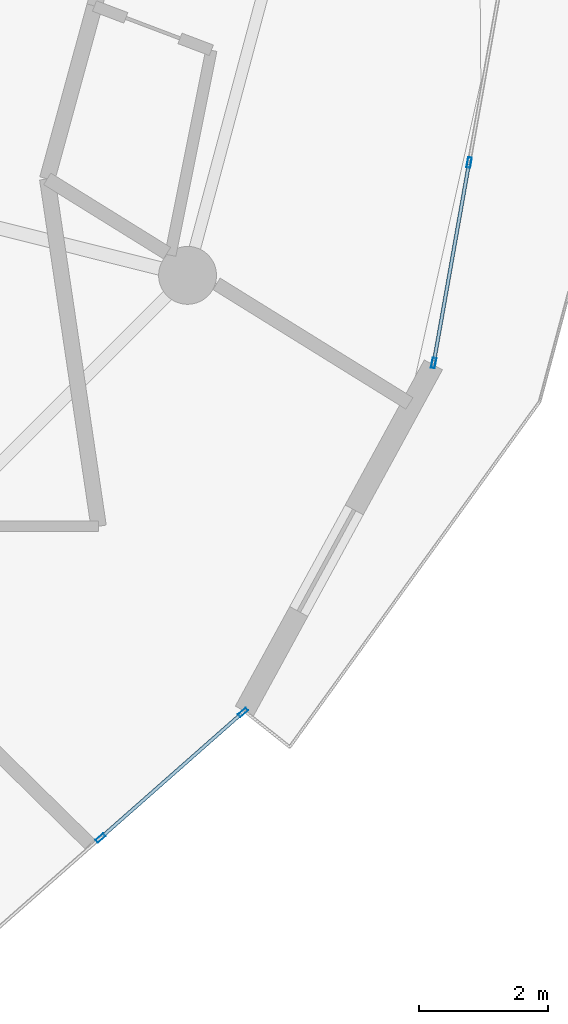
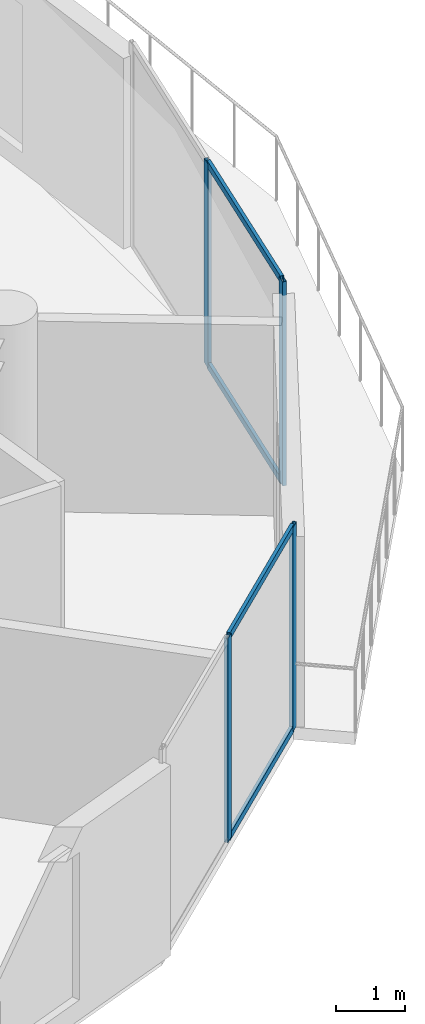
# One storey, part 6 of 18: 8 members, 2 elements without a shape of their own.
"""IFC4 building model written with IfcOpenShell, lengths in metres."""

import ifcopenshell
import ifcopenshell.guid

model = None  # the IFC model being written
_history = None  # IfcOwnerHistory: only IFC2X3 demands one
_inside = {}  # id of a spatial element -> (the spatial element, [elements in it])
_under = {}  # id of a project, library or spatial element -> (it, [spatial elements below it])
_declared = {}  # id of a project -> (the project, [libraries it declares])
_typed = {}  # id of a type object -> (the type object, [elements of that type])
_made_of = {}  # id of a material, layer set ... -> (it, [elements and type objects made of it])


def new_model(schema):
    """Start an empty IFC model of exactly this schema.

    Asked for "IFC4X3", IfcOpenShell would pick the latest addendum, in which some entities
    have other attributes; the version numbers below select the first issue.
    IFC2X3 requires an IfcOwnerHistory on every rooted entity: one is made here for all.
    """
    global model, _history
    if schema == "IFC4X3":
        model = ifcopenshell.file(schema_version=(4, 3, 0, 0))
    else:
        model = ifcopenshell.file(schema=schema)
    _inside.clear()
    _under.clear()
    _declared.clear()
    _typed.clear()
    _made_of.clear()
    _history = None
    if model.schema == "IFC2X3":
        org = make("IfcOrganization", Name="unknown")
        user = make(
            "IfcPersonAndOrganization",
            ThePerson=make("IfcPerson", FamilyName="unknown"),
            TheOrganization=org,
        )
        app = make(
            "IfcApplication",
            ApplicationDeveloper=org,
            Version="unknown",
            ApplicationFullName="unknown",
            ApplicationIdentifier="unknown",
        )
        _history = make(
            "IfcOwnerHistory",
            OwningUser=user,
            OwningApplication=app,
            ChangeAction="ADDED",
            CreationDate=0,
        )
    return model


def make(cls, **values):
    """One entity of the class cls with the attributes given. An attribute that is None is left unset."""
    return model.create_entity(
        cls, **{name: value for name, value in values.items() if value is not None}
    )


def rooted(cls, **values):
    """An entity with a GlobalId (a new one), such as an element, a storey or a relation."""
    return make(cls, GlobalId=ifcopenshell.guid.new(), OwnerHistory=_history, **values)


def si_unit(unit_type, name, prefix=None):
    """IfcSIUnit, for example si_unit("LENGTHUNIT", "METRE", prefix="MILLI")."""
    return make("IfcSIUnit", UnitType=unit_type, Prefix=prefix, Name=name)


def assignment(units):
    """IfcUnitAssignment: the units of a project."""
    return None if units is None else make("IfcUnitAssignment", Units=units)


def point(xyz):
    """IfcCartesianPoint."""
    return None if xyz is None else make("IfcCartesianPoint", Coordinates=xyz)


def direction(xyz):
    """IfcDirection."""
    return None if xyz is None else make("IfcDirection", DirectionRatios=xyz)


def frame(location, z_axis=None, x_axis=None):
    """IfcAxis2Placement3D, a coordinate frame: its origin and axes. An axis left out is left unset."""
    return make(
        "IfcAxis2Placement3D",
        Location=point(location),
        Axis=direction(z_axis),
        RefDirection=direction(x_axis),
    )


def frame_2d(location, x_axis=None):
    """IfcAxis2Placement2D, a coordinate frame in the plane: its origin and x axis."""
    return make(
        "IfcAxis2Placement2D", Location=point(location), RefDirection=direction(x_axis)
    )


def origin():
    """The frame at (0, 0, 0) with its axes left unset."""
    return frame((0.0, 0.0, 0.0))


def origin_2d():
    """The frame at (0, 0) in the plane with its x axis left unset."""
    return frame_2d((0.0, 0.0))


def place(relative_to, where):
    """IfcLocalPlacement: puts the frame where relative to a parent placement (None: the world)."""
    return make(
        "IfcLocalPlacement", PlacementRelTo=relative_to, RelativePlacement=where
    )


def context(
    kind, dimensions, precision=None, world=None, true_north=None, identifier=None
):
    """IfcGeometricRepresentationContext, for example the 3D "Model" context."""
    return make(
        "IfcGeometricRepresentationContext",
        ContextIdentifier=identifier,
        ContextType=kind,
        CoordinateSpaceDimension=dimensions,
        Precision=precision,
        WorldCoordinateSystem=world,
        TrueNorth=true_north,
    )


def subcontext(parent, identifier, kind, view, scale=None):
    """IfcGeometricRepresentationSubContext, for example "Body" below "Model"."""
    return make(
        "IfcGeometricRepresentationSubContext",
        ContextIdentifier=identifier,
        ContextType=kind,
        ParentContext=parent,
        TargetScale=scale,
        TargetView=view,
    )


def project(units=None, contexts=None):
    """IfcProject with its units and contexts."""
    return rooted(
        "IfcProject",
        Name="project",
        RepresentationContexts=contexts,
        UnitsInContext=assignment(units),
    )


def spatial(cls, under=None, at=None, **own):
    """A site, building, storey or space (cls), placed at a placement, below another one or the project."""
    s = rooted(cls, ObjectPlacement=at, **own)
    if under is not None:
        _under.setdefault(under.id(), (under, []))[1].append(s)
    return s


def profile(cls, at=None, kind="AREA", **sizes):
    """A parametric profile (cls). Its sizes go by their IFC names, for example OverallWidth=200.0."""
    return make(cls, ProfileType=kind, Position=at, **sizes)


def hollow_rectangle(**sizes):
    """IfcRectangleHollowProfileDef."""
    return profile("IfcRectangleHollowProfileDef", **sizes)


def extrude(swept, where, along, depth):
    """IfcExtrudedAreaSolid: the profile swept, set in the frame where, extruded along a direction by depth."""
    return make(
        "IfcExtrudedAreaSolid",
        SweptArea=swept,
        Position=where,
        ExtrudedDirection=direction(along),
        Depth=depth,
    )


def shape(context_of_items, identifier, shape_type, items):
    """IfcShapeRepresentation: the items that make up one representation, for example the "Body"."""
    return make(
        "IfcShapeRepresentation",
        ContextOfItems=context_of_items,
        RepresentationIdentifier=identifier,
        RepresentationType=shape_type,
        Items=items,
    )


def source(mapping_origin, context_of_items, identifier, shape_type, items):
    """IfcRepresentationMap: a shape defined once, which mapped items show again and again."""
    return make(
        "IfcRepresentationMap",
        MappingOrigin=mapping_origin,
        MappedRepresentation=shape(context_of_items, identifier, shape_type, items),
    )


def transform(
    local_origin,
    x_axis=None,
    y_axis=None,
    z_axis=None,
    scale=None,
    scale2=None,
    scale3=None,
    uniform=True,
):
    """IfcCartesianTransformationOperator3D, or its non-uniform kind. x_axis, y_axis, z_axis: its Axis1, 2, 3."""
    if uniform:
        return make(
            "IfcCartesianTransformationOperator3D",
            Axis1=direction(x_axis),
            Axis2=direction(y_axis),
            LocalOrigin=point(local_origin),
            Scale=scale,
            Axis3=direction(z_axis),
        )
    return make(
        "IfcCartesianTransformationOperator3DnonUniform",
        Axis1=direction(x_axis),
        Axis2=direction(y_axis),
        LocalOrigin=point(local_origin),
        Scale=scale,
        Axis3=direction(z_axis),
        Scale2=scale2,
        Scale3=scale3,
    )


def mapped(mapping_source, mapping_target):
    """IfcMappedItem: shows the shape of a source again, moved by a transform."""
    return make(
        "IfcMappedItem", MappingSource=mapping_source, MappingTarget=mapping_target
    )


def material(Name=None, Category=None):
    """IfcMaterial."""
    return make("IfcMaterial", Name=Name, Category=Category)


def layer(
    of_material, thickness, ventilated=None, Name=None, Category=None, Priority=None
):
    """IfcMaterialLayer: one layer of a wall or slab, of a material (None: an air gap)."""
    return make(
        "IfcMaterialLayer",
        Material=of_material,
        LayerThickness=thickness,
        IsVentilated=ventilated,
        Name=Name,
        Category=Category,
        Priority=Priority,
    )


def layer_set(layers, Name=None):
    """IfcMaterialLayerSet."""
    return make("IfcMaterialLayerSet", MaterialLayers=layers, LayerSetName=Name)


def material_profile(
    of_material, cross_section, Name=None, Category=None, Priority=None
):
    """IfcMaterialProfile: a cross section and its material."""
    return make(
        "IfcMaterialProfile",
        Name=Name,
        Material=of_material,
        Profile=cross_section,
        Priority=Priority,
        Category=Category,
    )


def profile_set(profiles, Name=None, composite=None):
    """IfcMaterialProfileSet."""
    return make(
        "IfcMaterialProfileSet",
        Name=Name,
        MaterialProfiles=profiles,
        CompositeProfile=composite,
    )


def made_of(thing, what):
    """Note that an element or type object is made of a material, layer set ...; save() writes the relation."""
    if what is not None:
        _made_of.setdefault(what.id(), (what, []))[1].append(thing)
    return thing


def type_object(cls, material=None, **own):
    """A type object (cls), such as IfcWallType, which elements share."""
    return made_of(rooted(cls, **own), material)


def element(
    cls,
    number,
    at=None,
    inside=None,
    cuts=None,
    type_object=None,
    material=None,
    context=None,
    identifier="Body",
    shape_type=None,
    held_by="IfcProductDefinitionShape",
    body=None,
    shapes=None,
    **own,
):
    """One element of the class cls, such as IfcWall. Its Tag is "e" and its number.

    at: its placement. inside: the storey or other place that contains it. cuts: it is an
    opening in that element (IfcRelVoidsElement). A single representation is given by context,
    identifier, shape_type and body (its items); several are given by shapes. held_by: the class
    of the entity that holds the representations. save() writes the other relations.
    """
    e = rooted(cls, Tag="e%d" % number, ObjectPlacement=at, **own)
    if body is not None:
        shapes = [shape(context, identifier, shape_type, body)]
    if shapes is not None:
        e.Representation = make(held_by, Representations=shapes)
    if inside is not None:
        _inside.setdefault(inside.id(), (inside, []))[1].append(e)
    if cuts is not None:
        rooted(
            "IfcRelVoidsElement", RelatingBuildingElement=cuts, RelatedOpeningElement=e
        )
    if type_object is not None:
        _typed.setdefault(type_object.id(), (type_object, []))[1].append(e)
    return made_of(e, material)


def aggregate(whole, parts):
    """IfcRelAggregates: a whole, such as a stair, and the parts it consists of."""
    return rooted("IfcRelAggregates", RelatingObject=whole, RelatedObjects=parts)


def save(model, path):
    """Write the relations noted so far, then the file.

    IfcRelAggregates (storeys below a building ...), IfcRelContainedInSpatialStructure (elements
    in a storey), IfcRelDefinesByType, IfcRelAssociatesMaterial and IfcRelDeclares: one each for
    every whole, place, type object, material and project.
    """
    for whole, parts in _under.values():
        aggregate(whole, parts)
    for where, things in _inside.values():
        rooted(
            "IfcRelContainedInSpatialStructure",
            RelatedElements=things,
            RelatingStructure=where,
        )
    for kind, things in _typed.values():
        rooted("IfcRelDefinesByType", RelatedObjects=things, RelatingType=kind)
    for what, things in _made_of.values():
        rooted("IfcRelAssociatesMaterial", RelatedObjects=things, RelatingMaterial=what)
    for by, libraries in _declared.values():
        rooted("IfcRelDeclares", RelatingContext=by, RelatedDefinitions=libraries)
    model.write(path)


model = new_model("IFC4")

# Units and contexts
model_context = context("Model", 3, precision=1e-05, world=origin(), true_north=direction((0.0, 1.0)))
body_context = subcontext(model_context, "Body", "Model", "MODEL_VIEW")
ifc_project = project(units=[si_unit("LENGTHUNIT", "METRE"), si_unit("AREAUNIT", "SQUARE_METRE"), si_unit("VOLUMEUNIT", "CUBIC_METRE"), si_unit("PLANEANGLEUNIT", "RADIAN"), si_unit("MASSUNIT", "GRAM", prefix="KILO")], contexts=[model_context])

# Site, building, storey
site_placement = place(None, origin())
site = spatial("IfcSite", under=ifc_project, at=site_placement, CompositionType="ELEMENT")
building_placement = place(site_placement, origin())
building = spatial("IfcBuilding", under=site, at=building_placement, Name="Solvirekh Grand Hotel", CompositionType="ELEMENT")
storey_placement = place(building_placement, frame((0.0, 0.0, 187.60009765625)))
storey = spatial("IfcBuildingStorey", under=building, at=storey_placement, Name="L48", CompositionType="ELEMENT", Elevation=187.60009765625)

# Curtain wall, members
ifc_material = material(Name="Anodized Bronze Aluminium 6063-T6", Category="aluminium")
ifc_layer = layer(ifc_material, 0.159912109375)
ifc_layer_set = layer_set([ifc_layer], Name="Anodized Bronze Aluminium 6063-T6")
curtain_wall_type = type_object("IfcCurtainWallType", Name="CW_Sys4_HighZoneFlushBronzeCW", PredefinedType="NOTDEFINED", material=ifc_layer_set)
curtain_wall_1_placement = place(storey_placement, origin())
curtain_wall_1 = element("IfcCurtainWall", 1, at=curtain_wall_1_placement, inside=storey, type_object=curtain_wall_type, Name="L48 unitised bronze-glass curtain wall CW-L48-C03", PredefinedType="NOTDEFINED")
ifc_material_profile_1 = material_profile(ifc_material, hollow_rectangle(XDim=0.054931640625, YDim=0.1201171875, WallThickness=0.00390625, at=origin_2d()), Name="ALU RHS 120X55X4")
ifc_profile_set_1 = profile_set([ifc_material_profile_1], Name="Anodized Bronze Aluminium 6063-T6")
member_type_1 = type_object("IfcMemberType", Name="CWTransom_Sys4", PredefinedType="USERDEFINED", material=ifc_profile_set_1)
shared_shape_1 = source(origin(), body_context, "Body", "SweptSolid", [
    extrude(hollow_rectangle(XDim=0.054931640625, YDim=0.1201171875, WallThickness=0.00390625, at=origin_2d()), origin(), (0.0, 0.0, 1.0), 3.104736328125),
])
member_1_placement = place(storey_placement, frame((17.515380859375, -9.23291015625, 0.02734375), z_axis=(0.17401859439, 0.984742366717, 0.0), x_axis=(-0.984742366717, 0.17401859439, 0.0)))
member_1 = element("IfcMember", 2, at=member_1_placement, type_object=member_type_1, Name="U04 transom 1.1", ObjectType="TRANSOM", PredefinedType="USERDEFINED", context=body_context, shape_type="MappedRepresentation", body=[
    mapped(shared_shape_1, transform((0.0, 0.0, 0.0), x_axis=(1.0, 0.0, 0.0), y_axis=(0.0, 1.0, 0.0), z_axis=(0.0, 0.0, 1.0), scale=1.0)),
])
member_2_placement = place(storey_placement, frame((17.515380859375, -9.23291015625, 3.572509765625), z_axis=(0.17401859439, 0.984742366717, 0.0), x_axis=(-0.984742366717, 0.17401859439, 0.0)))
member_2 = element("IfcMember", 3, at=member_2_placement, type_object=member_type_1, Name="U04 transom 1.2", ObjectType="TRANSOM", PredefinedType="USERDEFINED", context=body_context, shape_type="MappedRepresentation", body=[
    mapped(shared_shape_1, transform((0.0, 0.0, 0.0), x_axis=(1.0, 0.0, 0.0), y_axis=(0.0, 1.0, 0.0), z_axis=(0.0, 0.0, 1.0), scale=1.0)),
])

curtain_wall_2_placement = place(storey_placement, origin())
curtain_wall_2 = element("IfcCurtainWall", 4, at=curtain_wall_2_placement, inside=storey, type_object=curtain_wall_type, Name="L48 unitised bronze-glass curtain wall CW-L48-C01", PredefinedType="NOTDEFINED")
ifc_material_profile_2 = material_profile(ifc_material, hollow_rectangle(XDim=0.06005859375, YDim=0.159912109375, WallThickness=0.0048828125, at=origin_2d()), Name="ALU RHS 160X60X5")
ifc_profile_set_2 = profile_set([ifc_material_profile_2], Name="Anodized Bronze Aluminium 6063-T6")
member_type_2 = type_object("IfcMemberType", Name="CWMullion_Sys4", PredefinedType="MULLION", material=ifc_profile_set_2)
shared_shape_2 = source(origin(), body_context, "Body", "SweptSolid", [
    extrude(hollow_rectangle(XDim=0.06005859375, YDim=0.159912109375, WallThickness=0.0048828125, at=origin_2d()), origin(), (0.0, 0.0, 1.0), 3.599853515625),
])
member_3_placement = place(storey_placement, frame((12.3291015625, -16.64697265625, 0.0), z_axis=(0.0, 0.0, 1.0), x_axis=(-0.66130009529, 0.750121446147, 0.0)))
member_3 = element("IfcMember", 5, at=member_3_placement, type_object=member_type_2, Name="U04 mullion 2", PredefinedType="MULLION", context=body_context, shape_type="MappedRepresentation", body=[
    mapped(shared_shape_2, transform((0.0, 0.0, 0.0), x_axis=(1.0, 0.0, 0.0), y_axis=(0.0, 1.0, 0.0), z_axis=(0.0, 0.0, 1.0), scale=1.0)),
])
member_4_placement = place(storey_placement, frame((14.54443359375, -14.69384765625, 0.0), z_axis=(0.0, 0.0, 1.0), x_axis=(-0.66130009529, 0.750121446147, 0.0)))
member_4 = element("IfcMember", 6, at=member_4_placement, type_object=member_type_2, Name="U04 mullion 3", PredefinedType="MULLION", context=body_context, shape_type="MappedRepresentation", body=[
    mapped(shared_shape_2, transform((0.0, 0.0, 0.0), x_axis=(1.0, 0.0, 0.0), y_axis=(0.0, 1.0, 0.0), z_axis=(0.0, 0.0, 1.0), scale=1.0)),
])

# Member
member_5_placement = place(storey_placement, frame((17.51025390625, -9.262451171875, 0.0), z_axis=(0.0, 0.0, 1.0), x_axis=(-0.984739411138, 0.174035318689, 0.0)))
member_5 = element("IfcMember", 7, at=member_5_placement, type_object=member_type_2, Name="U04 mullion 1", PredefinedType="MULLION", context=body_context, shape_type="MappedRepresentation", body=[
    mapped(shared_shape_2, transform((0.0, 0.0, 0.0), x_axis=(1.0, 0.0, 0.0), y_axis=(0.0, 1.0, 0.0), z_axis=(0.0, 0.0, 1.0), scale=1.0)),
])

member_6_placement = place(storey_placement, frame((18.06103515625, -6.14599609375, 0.0), z_axis=(0.0, 0.0, 1.0), x_axis=(-0.984739411138, 0.174035318689, 0.0)))
member_6 = element("IfcMember", 8, at=member_6_placement, type_object=member_type_2, Name="U04 mullion 2", PredefinedType="MULLION", context=body_context, shape_type="MappedRepresentation", body=[
    mapped(shared_shape_2, transform((0.0, 0.0, 0.0), x_axis=(1.0, 0.0, 0.0), y_axis=(0.0, 1.0, 0.0), z_axis=(0.0, 0.0, 1.0), scale=1.0)),
])

aggregate(curtain_wall_1, [member_5, member_6, member_1, member_2])

shared_shape_3 = source(origin(), body_context, "Body", "SweptSolid", [
    extrude(hollow_rectangle(XDim=0.054931640625, YDim=0.1201171875, WallThickness=0.00390625, at=origin_2d()), origin(), (0.0, 0.0, 1.0), 2.8935546875),
])
member_7_placement = place(storey_placement, frame((12.3515625, -16.627197265625, 0.02734375), z_axis=(0.75009387901, 0.661331363744, 0.0), x_axis=(-0.661331363744, 0.75009387901, 0.0)))
member_7 = element("IfcMember", 9, at=member_7_placement, type_object=member_type_1, Name="U04 transom 2.1", ObjectType="TRANSOM", PredefinedType="USERDEFINED", context=body_context, shape_type="MappedRepresentation", body=[
    mapped(shared_shape_3, transform((0.0, 0.0, 0.0), x_axis=(1.0, 0.0, 0.0), y_axis=(0.0, 1.0, 0.0), z_axis=(0.0, 0.0, 1.0), scale=1.0)),
])

member_8_placement = place(storey_placement, frame((12.3515625, -16.627197265625, 3.572509765625), z_axis=(0.75009387901, 0.661331363744, 0.0), x_axis=(-0.661331363744, 0.75009387901, 0.0)))
member_8 = element("IfcMember", 10, at=member_8_placement, type_object=member_type_1, Name="U04 transom 2.2", ObjectType="TRANSOM", PredefinedType="USERDEFINED", context=body_context, shape_type="MappedRepresentation", body=[
    mapped(shared_shape_3, transform((0.0, 0.0, 0.0), x_axis=(1.0, 0.0, 0.0), y_axis=(0.0, 1.0, 0.0), z_axis=(0.0, 0.0, 1.0), scale=1.0)),
])

aggregate(curtain_wall_2, [member_3, member_4, member_7, member_8])

save(model, "model.ifc")
